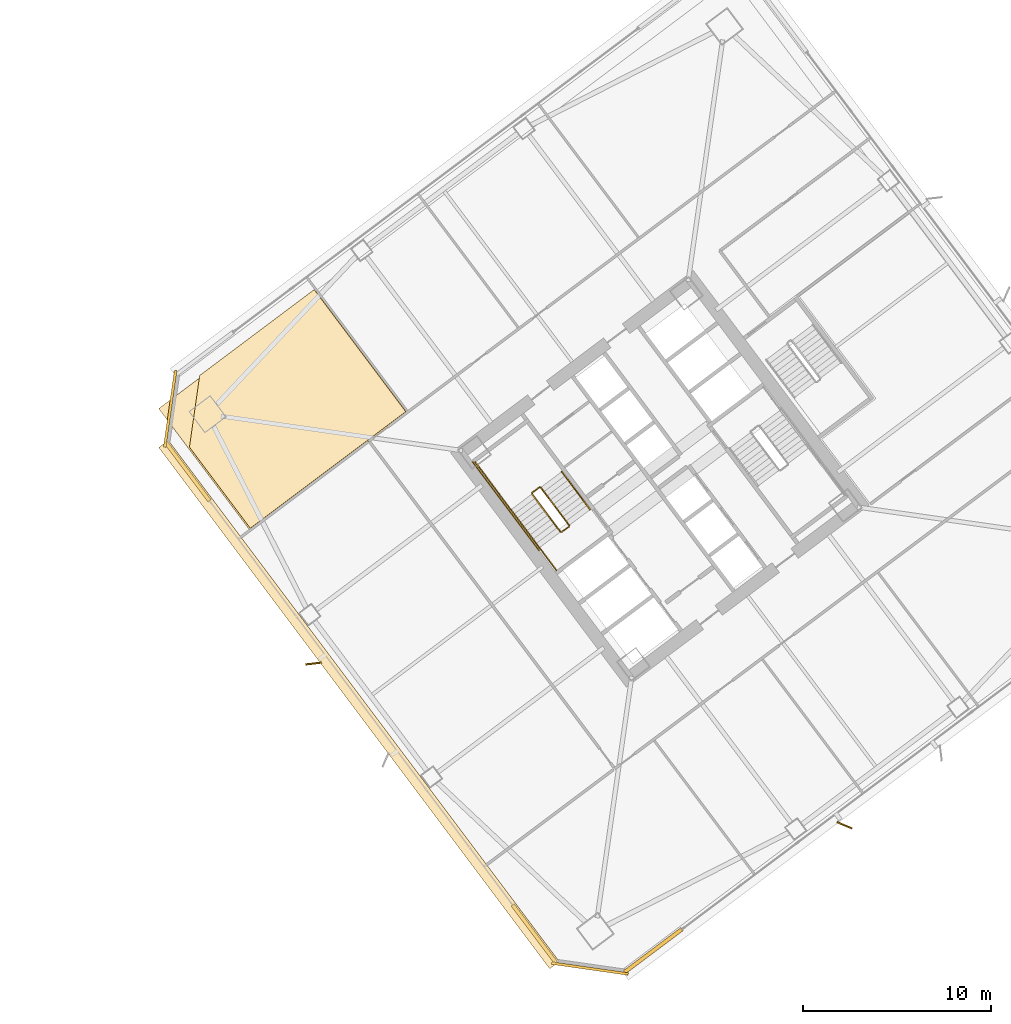
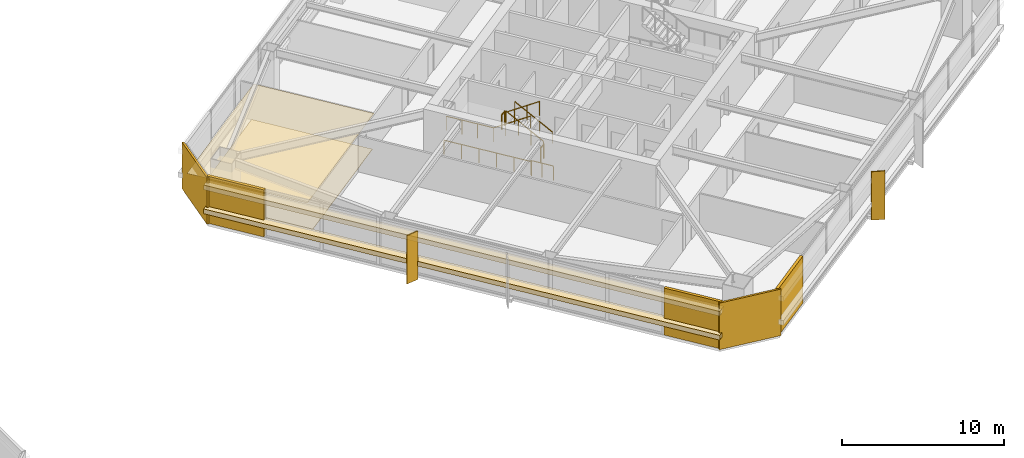
# One storey, part 45 of 49: 9 coverings, 9 railings, 2 shading devices.
"""IFC4 building model written with IfcOpenShell, lengths in metres."""

from ifc_helpers import new_model, si_unit, direction, frame, origin, origin_2d, place, context, subcontext, project, spatial, polyline, rectangle, outline, extrude, material, layer, layer_set, type_object, element, save


model = new_model("IFC4")

# Units and contexts
model_context = context("Model", 3, precision=1e-05, world=origin(), true_north=direction((0.0, 1.0)))
body_context = subcontext(model_context, "Body", "Model", "MODEL_VIEW")
ifc_project = project(units=[si_unit("LENGTHUNIT", "METRE"), si_unit("AREAUNIT", "SQUARE_METRE"), si_unit("VOLUMEUNIT", "CUBIC_METRE"), si_unit("PLANEANGLEUNIT", "RADIAN"), si_unit("MASSUNIT", "GRAM", prefix="KILO")], contexts=[model_context])

# Site, building, storey
site_placement = place(None, origin())
site = spatial("IfcSite", under=ifc_project, at=site_placement, CompositionType="ELEMENT")
building_placement = place(site_placement, origin())
building = spatial("IfcBuilding", under=site, at=building_placement, Name="Tashvorn Skyway Center", CompositionType="ELEMENT")
storey_placement = place(building_placement, frame((0.0, 0.0, 70.75)))
storey = spatial("IfcBuildingStorey", under=building, at=storey_placement, Name="L18", CompositionType="ELEMENT", Elevation=70.75)

# Coverings
ifc_material_1 = material(Name="Precast concrete C40/50", Category="concrete")
ifc_layer_1 = layer(ifc_material_1, 0.199951171875)
ifc_layer_set_1 = layer_set([ifc_layer_1], Name="Precast concrete C40/50")
covering_type_1 = type_object("IfcCoveringType", Name="COV-BRACE-CLAD", PredefinedType="CLADDING", material=ifc_layer_set_1)
for number, where, z_axis, x_axis, name in (
    (1, (113.639892578125, 6.8798828125, 0.0), (0.0, 0.0, 1.0), (-0.799999996291, -0.600000004945, 0.0), "Tower 2 L18 South Unitised Curtain Wall Mega-Brace Cladding Band 2"),
    (2, (107.31201171875, 7.783935546875, 0.0), (0.0, 0.0, 1.0), (-0.600000004945, 0.799999996291, 0.0), "Tower 2 L18 West Unitised Curtain Wall Mega-Brace Cladding Band 1"),
    (3, (88.8798828125, 32.360107421875, 0.0), (0.0, 0.0, 1.0), (-0.600000004945, 0.799999996291, 0.0), "Tower 2 L18 West Unitised Curtain Wall Mega-Brace Cladding Band 2"),
):
    element("IfcCovering", number, at=place(storey_placement, frame(where, z_axis=z_axis, x_axis=x_axis)), inside=storey, type_object=covering_type_1, Name=name, PredefinedType="CLADDING", context=body_context, shape_type="SweptSolid", body=[
        extrude(rectangle(XDim=3.840087890625, YDim=0.199951171875, at=origin_2d()), origin(), (0.0, 0.0, 1.0), 3.550048828125),
    ])
ifc_material_2 = material(Name="Mineral-fibre acoustic ceiling tile on suspended grid")
ifc_layer_2 = layer(ifc_material_2, 0.02001953125)
ifc_layer_set_2 = layer_set([ifc_layer_2], Name="Mineral-fibre acoustic ceiling tile on suspended grid")
covering_type_2 = type_object("IfcCoveringType", Name="COV-CEIL-20", PredefinedType="CEILING", material=ifc_layer_set_2)
covering_1_placement = place(storey_placement, frame((0.0, 0.0, 2.68310546875)))
element("IfcCovering", 4, at=covering_1_placement, inside=storey, type_object=covering_type_2, Name="Tower 2 L18 Conference Room Acoustic Ceiling", PredefinedType="CEILING", context=body_context, shape_type="SweptSolid", body=[
    extrude(outline(polyline([(92.179931640625, 29.260009765625), (100.580078125, 35.56005859375), (95.719970703125, 42.0400390625), (87.320068359375, 35.739990234375), (92.179931640625, 29.260009765625)])), origin(), (0.0, 0.0, 1.0), 0.019775390625),
])
ifc_material_3 = material(Name="Polished Mojave desert-aggregate terrazzo and cover plate")
ifc_layer_3 = layer(ifc_material_3, 0.0400390625)
ifc_layer_set_3 = layer_set([ifc_layer_3], Name="Polished Mojave desert-aggregate terrazzo and cover plate")
covering_type_3 = type_object("IfcCoveringType", Name="COV-FLR-40", PredefinedType="FLOORING", material=ifc_layer_set_3)
covering_2_placement = place(storey_placement, origin())
element("IfcCovering", 5, at=covering_2_placement, inside=storey, type_object=covering_type_3, Name="Tower 2 L18 Conference Room Finish Flooring", PredefinedType="FLOORING", context=body_context, shape_type="SweptSolid", body=[
    extrude(outline(polyline([(100.468017578125, 35.575927734375), (92.196044921875, 29.3720703125), (88.9560546875, 33.69189453125), (89.5, 37.5), (95.595947265625, 42.072021484375), (100.468017578125, 35.575927734375)])), origin(), (0.0, 0.0, 1.0), 0.0400390625),
])
ifc_material_4 = material(Name="Perforated ceramic-coated bronze aluminium solar screen", Category="aluminium")
ifc_layer_4 = layer(ifc_material_4, 0.85009765625)
ifc_layer_set_4 = layer_set([ifc_layer_4], Name="Perforated ceramic-coated bronze aluminium solar screen")
covering_type_4 = type_object("IfcCoveringType", Name="COV-SOLAR-BAND", PredefinedType="CLADDING", material=ifc_layer_set_4)
for number, where, z_axis, x_axis, name in (
    (6, (97.98388671875, 19.988037109375, 0.919921875), (0.0, 0.0, 1.0), (-0.600000004945, 0.799999996291, 0.0), "L18 Perforated Ceramic-Metal Solar Screen Louvre Band West 1"),
    (7, (97.98388671875, 19.988037109375, 2.7197265625), (0.0, 0.0, 1.0), (-0.600000004945, 0.799999996291, 0.0), "L18 Perforated Ceramic-Metal Solar Screen Louvre Band West 2"),
):
    element("IfcCovering", number, at=place(storey_placement, frame(where, z_axis=z_axis, x_axis=x_axis)), inside=storey, type_object=covering_type_4, Name=name, PredefinedType="CLADDING", context=body_context, shape_type="SweptSolid", body=[
        extrude(rectangle(XDim=34.679931640625, YDim=0.639892578125, at=origin_2d()), origin(), (0.0, 0.0, 1.0), 0.360107421875),
    ])
ifc_layer_5 = layer(ifc_material_1, 0.35009765625)
ifc_layer_set_5 = layer_set([ifc_layer_5], Name="Precast concrete C40/50")
covering_type_5 = type_object("IfcCoveringType", Name="COV-STONE-TRIM", PredefinedType="CLADDING", material=ifc_layer_set_5)
for number, where, z_axis, x_axis, name in (
    (8, (110.27587890625, 5.931884765625, 0.02001953125), (0.0, 0.0, 1.0), (-0.989949494535, 0.141421350118, 0.0), "Tower 2 L18 SW Mojave Limestone Corner Quoin"),
    (9, (87.931884765625, 35.72412109375, 0.02001953125), (0.0, 0.0, 1.0), (-0.141421350118, -0.989949494535, 0.0), "Tower 2 L18 NW Mojave Limestone Corner Quoin"),
):
    element("IfcCovering", number, at=place(storey_placement, frame(where, z_axis=z_axis, x_axis=x_axis)), inside=storey, type_object=covering_type_5, Name=name, PredefinedType="CLADDING", context=body_context, shape_type="SweptSolid", body=[
        extrude(rectangle(XDim=4.119873046875, YDim=0.139892578125, at=origin_2d()), origin(), (0.0, 0.0, 1.0), 3.510009765625),
    ])

# Railings
ifc_material_5 = material(Name="Brushed stainless steel 316", Category="steel")
railing_type_1 = type_object("IfcRailingType", Name="RAIL-HAND-920", PredefinedType="HANDRAIL", material=ifc_material_5)
railing_1_placement = place(storey_placement, frame((110.2880859375, 30.365966796875, 0.177490234375)))
element("IfcRailing", 10, at=railing_1_placement, inside=storey, type_object=railing_type_1, Name="L18 ST-T2-1 stair handrail 1", PredefinedType="HANDRAIL", context=body_context, shape_type="SweptSolid", body=[
    extrude(rectangle(XDim=0.048095703125, YDim=0.048095703125, at=origin_2d()), frame((0.0, 0.0, 0.8759765625), z_axis=(-0.506801609611, 0.675680931896, 0.535357270211), x_axis=(-0.799976749893, -0.600030998891, 0.0)), (0.0, 0.0, 1.0), 2.98388671875),
    extrude(rectangle(XDim=0.0419921875, YDim=0.0419921875, at=origin_2d()), origin(), (0.0, 0.0, 1.0), 0.851806640625),
    extrude(rectangle(XDim=0.0419921875, YDim=0.0419921875, at=origin_2d()), frame((-0.504150390625, 0.672119140625, 0.532470703125)), (0.0, 0.0, 1.0), 0.851806640625),
    extrude(rectangle(XDim=0.0419921875, YDim=0.0419921875, at=origin_2d()), frame((-1.008056640625, 1.343994140625, 1.06494140625)), (0.0, 0.0, 1.0), 0.851806640625),
    extrude(rectangle(XDim=0.0419921875, YDim=0.0419921875, at=origin_2d()), frame((-1.51220703125, 2.01611328125, 1.597412109375)), (0.0, 0.0, 1.0), 0.851806640625),
])
railing_2_placement = place(storey_placement, frame((106.072021484375, 30.35400390625, 1.952392578125)))
element("IfcRailing", 11, at=railing_2_placement, inside=storey, type_object=railing_type_1, Name="L18 ST-T2-1 stair handrail 2", PredefinedType="HANDRAIL", context=body_context, shape_type="SweptSolid", body=[
    extrude(rectangle(XDim=0.048095703125, YDim=0.048095703125, at=origin_2d()), frame((0.0, 0.0, 0.8759765625), z_axis=(0.506718600913, -0.675679348675, 0.535437836974), x_axis=(0.800023250257, 0.599968998406, 0.0)), (0.0, 0.0, 1.0), 2.98388671875),
    extrude(rectangle(XDim=0.0419921875, YDim=0.0419921875, at=origin_2d()), origin(), (0.0, 0.0, 1.0), 0.851806640625),
    extrude(rectangle(XDim=0.0419921875, YDim=0.0419921875, at=origin_2d()), frame((0.50390625, -0.672119140625, 0.532470703125)), (0.0, 0.0, 1.0), 0.851806640625),
    extrude(rectangle(XDim=0.0419921875, YDim=0.0419921875, at=origin_2d()), frame((1.008056640625, -1.343994140625, 1.065185546875)), (0.0, 0.0, 1.0), 0.851806640625),
    extrude(rectangle(XDim=0.0419921875, YDim=0.0419921875, at=origin_2d()), frame((1.511962890625, -2.01611328125, 1.59765625)), (0.0, 0.0, 1.0), 0.851806640625),
])
ifc_material_6 = material(Name="Painted galvanized steel S355", Category="steel")
railing_type_2 = type_object("IfcRailingType", Name="RAIL-STGUARD-1100", PredefinedType="GUARDRAIL", material=ifc_material_6)
railing_3_placement = place(storey_placement, frame((109.16796875, 29.52587890625, 0.177490234375)))
element("IfcRailing", 12, at=railing_3_placement, inside=storey, type_object=railing_type_2, Name="L18 ST-T2-1 stair guard 1", PredefinedType="GUARDRAIL", context=body_context, shape_type="SweptSolid", body=[
    extrude(rectangle(XDim=0.048095703125, YDim=0.048095703125, at=origin_2d()), frame((0.0, 0.0, 1.076171875), z_axis=(-0.506740800098, 0.675708949977, 0.535379469569), x_axis=(-0.800023250257, -0.599968998406, 0.0)), (0.0, 0.0, 1.0), 2.983642578125),
    extrude(rectangle(XDim=0.0419921875, YDim=0.0419921875, at=origin_2d()), origin(), (0.0, 0.0, 1.0), 1.052001953125),
    extrude(rectangle(XDim=0.0419921875, YDim=0.0419921875, at=origin_2d()), frame((-0.50390625, 0.672119140625, 0.532470703125)), (0.0, 0.0, 1.0), 1.052001953125),
    extrude(rectangle(XDim=0.0419921875, YDim=0.0419921875, at=origin_2d()), frame((-1.008056640625, 1.343994140625, 1.06494140625)), (0.0, 0.0, 1.0), 1.052001953125),
    extrude(rectangle(XDim=0.0419921875, YDim=0.0419921875, at=origin_2d()), frame((-1.511962890625, 2.01611328125, 1.597412109375)), (0.0, 0.0, 1.0), 1.052001953125),
])
railing_4_placement = place(storey_placement, frame((107.5859375, 31.552001953125, 1.77490234375)))
element("IfcRailing", 13, at=railing_4_placement, inside=storey, type_object=railing_type_2, Name="L18 ST-T2-1 stair guard 2", PredefinedType="GUARDRAIL", context=body_context, shape_type="SweptSolid", body=[
    extrude(rectangle(XDim=0.048095703125, YDim=0.048095703125, at=origin_2d()), frame((0.0, 0.0, 1.076171875), z_axis=(-0.799938970639, -0.600081363861, 0.0), x_axis=(0.600081363861, -0.799938970639, 0.0)), (0.0, 0.0, 1.0), 0.47998046875),
    extrude(rectangle(XDim=0.0419921875, YDim=0.0419921875, at=origin_2d()), origin(), (0.0, 0.0, 1.0), 1.052001953125),
    extrude(rectangle(XDim=0.0419921875, YDim=0.0419921875, at=origin_2d()), frame((-0.384033203125, -0.2880859375, 0.0)), (0.0, 0.0, 1.0), 1.052001953125),
])
railing_5_placement = place(storey_placement, frame((106.072021484375, 30.35400390625, 1.77490234375)))
element("IfcRailing", 14, at=railing_5_placement, inside=storey, type_object=railing_type_2, Name="L18 ST-T2-1 stair guard 3", PredefinedType="GUARDRAIL", context=body_context, shape_type="SweptSolid", body=[
    extrude(rectangle(XDim=0.048095703125, YDim=0.048095703125, at=origin_2d()), frame((0.0, 0.0, 1.076171875), z_axis=(-0.599987638607, 0.800009270896, 0.0), x_axis=(-0.800009270896, -0.599987638607, 0.0)), (0.0, 0.0, 1.0), 3.16015625),
    extrude(rectangle(XDim=0.0419921875, YDim=0.0419921875, at=origin_2d()), origin(), (0.0, 0.0, 1.0), 1.052001953125),
    extrude(rectangle(XDim=0.0419921875, YDim=0.0419921875, at=origin_2d()), frame((-0.632080078125, 0.8427734375, 0.0)), (0.0, 0.0, 1.0), 1.052001953125),
    extrude(rectangle(XDim=0.0419921875, YDim=0.0419921875, at=origin_2d()), frame((-1.263916015625, 1.685302734375, 0.0)), (0.0, 0.0, 1.0), 1.052001953125),
    extrude(rectangle(XDim=0.0419921875, YDim=0.0419921875, at=origin_2d()), frame((-1.89599609375, 2.528076171875, 0.0)), (0.0, 0.0, 1.0), 1.052001953125),
])
railing_6_placement = place(storey_placement, frame((107.19189453125, 31.194091796875, 1.952392578125)))
element("IfcRailing", 15, at=railing_6_placement, inside=storey, type_object=railing_type_2, Name="L18 ST-T2-1 stair guard 4", PredefinedType="GUARDRAIL", context=body_context, shape_type="SweptSolid", body=[
    extrude(rectangle(XDim=0.048095703125, YDim=0.048095703125, at=origin_2d()), frame((0.0, 0.0, 1.076171875), z_axis=(0.506779409603, -0.675651334276, 0.53541563714), x_axis=(0.799976749893, 0.600030998891, 0.0)), (0.0, 0.0, 1.0), 2.98388671875),
    extrude(rectangle(XDim=0.0419921875, YDim=0.0419921875, at=origin_2d()), origin(), (0.0, 0.0, 1.0), 1.052001953125),
    extrude(rectangle(XDim=0.0419921875, YDim=0.0419921875, at=origin_2d()), frame((0.504150390625, -0.672119140625, 0.532470703125)), (0.0, 0.0, 1.0), 1.052001953125),
    extrude(rectangle(XDim=0.0419921875, YDim=0.0419921875, at=origin_2d()), frame((1.008056640625, -1.343994140625, 1.065185546875)), (0.0, 0.0, 1.0), 1.052001953125),
    extrude(rectangle(XDim=0.0419921875, YDim=0.0419921875, at=origin_2d()), frame((1.51220703125, -2.01611328125, 1.59765625)), (0.0, 0.0, 1.0), 1.052001953125),
])
railing_7_placement = place(storey_placement, frame((109.157958984375, 29.4560546875, 0.0)))
element("IfcRailing", 16, at=railing_7_placement, inside=storey, type_object=railing_type_2, Name="L18 ST-T2-1 stair guard 5", PredefinedType="GUARDRAIL", context=body_context, shape_type="SweptSolid", body=[
    extrude(rectangle(XDim=0.048095703125, YDim=0.048095703125, at=origin_2d()), frame((0.0, 0.0, 1.076171875), z_axis=(-0.799938970639, -0.600081363861, 0.0), x_axis=(0.600081363861, -0.799938970639, 0.0)), (0.0, 0.0, 1.0), 0.47998046875),
    extrude(rectangle(XDim=0.0419921875, YDim=0.0419921875, at=origin_2d()), origin(), (0.0, 0.0, 1.0), 1.052001953125),
    extrude(rectangle(XDim=0.0419921875, YDim=0.0419921875, at=origin_2d()), frame((-0.384033203125, -0.2880859375, 0.0)), (0.0, 0.0, 1.0), 1.052001953125),
])
railing_8_placement = place(storey_placement, frame((108.49609375, 27.1220703125, 0.0)))
element("IfcRailing", 17, at=railing_8_placement, inside=storey, type_object=railing_type_2, Name="L18 ST-T2-1 stair guard 6", PredefinedType="GUARDRAIL", context=body_context, shape_type="SweptSolid", body=[
    extrude(rectangle(XDim=0.048095703125, YDim=0.048095703125, at=origin_2d()), frame((0.0, 0.0, 1.076171875), z_axis=(-0.600102796382, 0.799922892393, 0.0), x_axis=(-0.799922892393, -0.600102796382, 0.0)), (0.0, 0.0, 1.0), 1.52001953125),
    extrude(rectangle(XDim=0.0419921875, YDim=0.0419921875, at=origin_2d()), origin(), (0.0, 0.0, 1.0), 1.052001953125),
    extrude(rectangle(XDim=0.0419921875, YDim=0.0419921875, at=origin_2d()), frame((-0.4560546875, 0.60791015625, 0.0)), (0.0, 0.0, 1.0), 1.052001953125),
    extrude(rectangle(XDim=0.0419921875, YDim=0.0419921875, at=origin_2d()), frame((-0.912109375, 1.2158203125, 0.0)), (0.0, 0.0, 1.0), 1.052001953125),
])
railing_9_placement = place(storey_placement, frame((107.56396484375, 28.197998046875, 0.0)))
element("IfcRailing", 18, at=railing_9_placement, inside=storey, type_object=railing_type_2, Name="L18 ST-T2-1 stair guard 7", PredefinedType="GUARDRAIL", context=body_context, shape_type="SweptSolid", body=[
    extrude(rectangle(XDim=0.048095703125, YDim=0.048095703125, at=origin_2d()), frame((0.0, 0.0, 1.076171875), z_axis=(-0.6, 0.8, 0.0), x_axis=(-0.8, -0.6, 0.0)), (0.0, 0.0, 1.0), 5.880126953125),
    extrude(rectangle(XDim=0.0419921875, YDim=0.0419921875, at=origin_2d()), origin(), (0.0, 0.0, 1.0), 1.052001953125),
    extrude(rectangle(XDim=0.0419921875, YDim=0.0419921875, at=origin_2d()), frame((-0.70556640625, 0.94091796875, 0.0)), (0.0, 0.0, 1.0), 1.052001953125),
    extrude(rectangle(XDim=0.0419921875, YDim=0.0419921875, at=origin_2d()), frame((-1.4111328125, 1.881591796875, 0.0)), (0.0, 0.0, 1.0), 1.052001953125),
    extrude(rectangle(XDim=0.0419921875, YDim=0.0419921875, at=origin_2d()), frame((-2.116943359375, 2.822509765625, 0.0)), (0.0, 0.0, 1.0), 1.052001953125),
    extrude(rectangle(XDim=0.0419921875, YDim=0.0419921875, at=origin_2d()), frame((-2.822509765625, 3.76318359375, 0.0)), (0.0, 0.0, 1.0), 1.052001953125),
    extrude(rectangle(XDim=0.0419921875, YDim=0.0419921875, at=origin_2d()), frame((-3.528076171875, 4.7041015625, 0.0)), (0.0, 0.0, 1.0), 1.052001953125),
])

# Shading devices
ifc_layer_6 = layer(ifc_material_4, 0.06005859375)
ifc_layer_set_6 = layer_set([ifc_layer_6], Name="Perforated ceramic-coated bronze aluminium solar screen")
shading_device_type = type_object("IfcShadingDeviceType", Name="SHD-SOLAR-850", PredefinedType="USERDEFINED", material=ifc_layer_set_6)
for number, where, z_axis, x_axis, name in (
    (19, (123.830078125, 13.56005859375, -0.099853515625), (0.0, 0.0, 1.0), (-0.392820317343, -0.919615244699, 0.0), "Tower 2 L18 Perforated Ceramic-Metal Solar Screen S1"),
    (20, (95.56005859375, 22.169921875, -0.099853515625), (0.0, 0.0, 1.0), (-0.119615248407, 0.992820322288, 0.0), "Tower 2 L18 Perforated Ceramic-Metal Solar Screen W2"),
):
    element("IfcShadingDevice", number, at=place(storey_placement, frame(where, z_axis=z_axis, x_axis=x_axis)), inside=storey, type_object=shading_device_type, Name=name, ObjectType="SCREEN", PredefinedType="USERDEFINED", context=body_context, shape_type="SweptSolid", body=[
        extrude(rectangle(XDim=0.080078125, YDim=0.85009765625, at=origin_2d()), origin(), (0.0, 0.0, 1.0), 3.64990234375),
    ])

save(model, "model.ifc")
